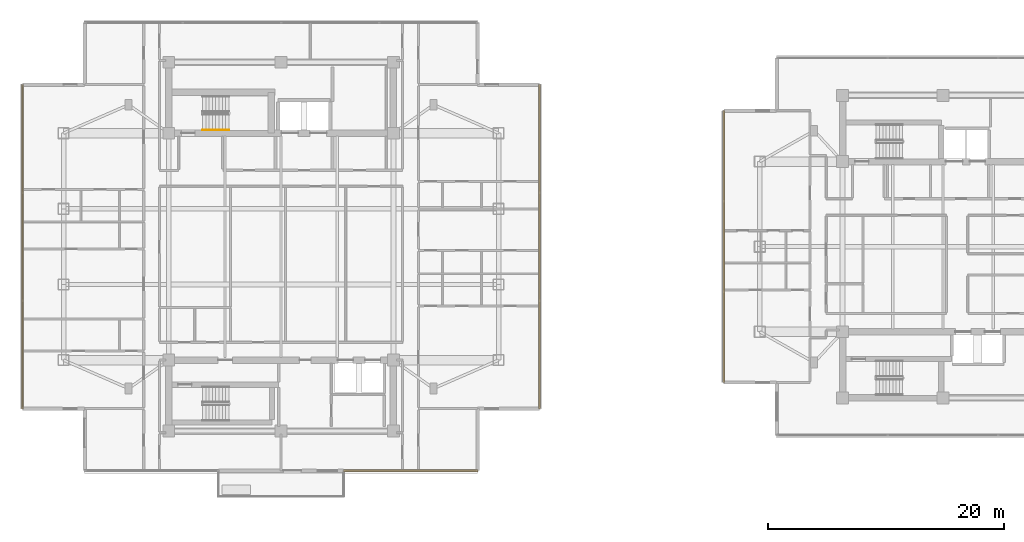
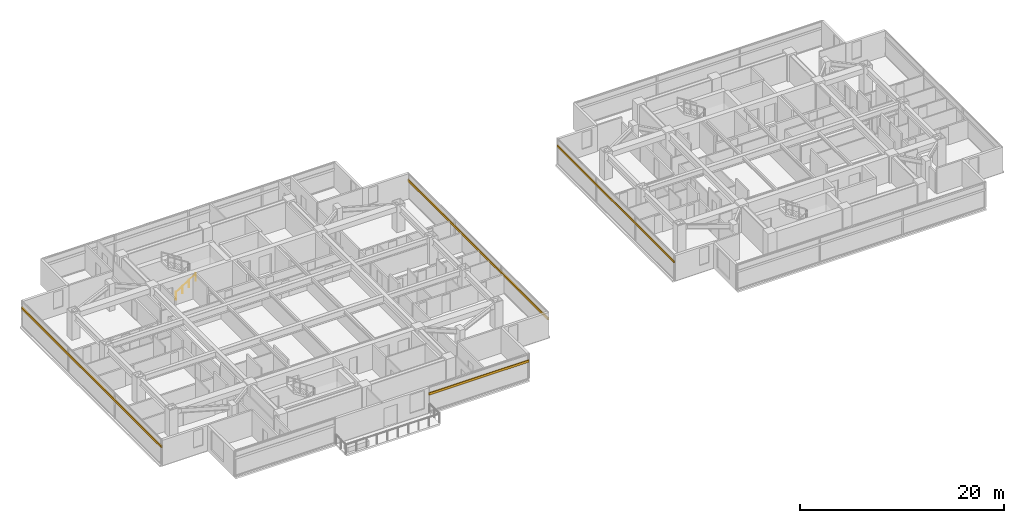
# One storey, part 21 of 25: 4 shading devices, 1 railing.
"""IFC4 building model written with IfcOpenShell, lengths in metres."""

from ifc_helpers import new_model, si_unit, direction, frame, origin, origin_2d, place, context, subcontext, project, spatial, rectangle, circle, extrude, material, material_profile, profile_set, type_object, element, save


model = new_model("IFC4")

# Units and contexts
model_context = context("Model", 3, precision=1e-05, world=origin(), true_north=direction((0.0, 1.0)))
body_context = subcontext(model_context, "Body", "Model", "MODEL_VIEW")
ifc_project = project(units=[si_unit("LENGTHUNIT", "METRE"), si_unit("AREAUNIT", "SQUARE_METRE"), si_unit("VOLUMEUNIT", "CUBIC_METRE"), si_unit("PLANEANGLEUNIT", "RADIAN"), si_unit("MASSUNIT", "GRAM", prefix="KILO")], contexts=[model_context])

# Site, building, storey
site_placement = place(None, origin())
site = spatial("IfcSite", under=ifc_project, at=site_placement, CompositionType="ELEMENT")
building_placement = place(site_placement, origin())
building = spatial("IfcBuilding", under=site, at=building_placement, Name="Mirazonda Arch Towers", CompositionType="ELEMENT")
storey_placement = place(building_placement, frame((0.0, 0.0, 180.39990234375)))
storey = spatial("IfcBuildingStorey", under=building, at=storey_placement, Name="L51", CompositionType="ELEMENT", Elevation=180.39990234375)

# Shading devices
ifc_material_1 = material(Name="Kiln-Fired Architectural Terracotta", Category="masonry")
ifc_material_profile_1 = material_profile(ifc_material_1, rectangle(XDim=0.1201171875, YDim=0.239990234375, at=origin_2d()), Name="TERRA-BAG-120x240")
ifc_profile_set_1 = profile_set([ifc_material_profile_1], Name="Kiln-Fired Architectural Terracotta")
shading_device_type_1 = type_object("IfcShadingDeviceType", Name="BAGUETTE-1", PredefinedType="USERDEFINED", material=ifc_profile_set_1)
shading_device_1_placement = place(storey_placement, frame((57.96337890625, 39.49267578125, 2.181640625), z_axis=(0.0, -1.0, 0.0), x_axis=(1.0, 0.0, 0.0)))
element("IfcShadingDevice", 1, at=shading_device_1_placement, inside=storey, type_object=shading_device_type_1, Name="L51 Glazed Terracotta Sun-Screen Baguette CW-L51-T2-W", ObjectType="BAGUETTE", PredefinedType="USERDEFINED", context=body_context, shape_type="SweptSolid", body=[
    extrude(rectangle(XDim=0.1201171875, YDim=0.239990234375, at=origin_2d()), origin(), (0.0, 0.0, 1.0), 22.9853515625),
])
ifc_material_profile_2 = material_profile(ifc_material_1, rectangle(XDim=0.139892578125, YDim=0.280029296875, at=origin_2d()), Name="TERRA-BAG-140x280")
ifc_profile_set_2 = profile_set([ifc_material_profile_2], Name="Kiln-Fired Architectural Terracotta")
shading_device_type_2 = type_object("IfcShadingDeviceType", Name="BAGUETTE-3", PredefinedType="USERDEFINED", material=ifc_profile_set_2)
shading_device_2_placement = place(storey_placement, frame((37.125, 9.0458984375, 2.181640625), z_axis=(-1.0, 0.0, 0.0), x_axis=(0.0, -1.0, 0.0)))
element("IfcShadingDevice", 2, at=shading_device_2_placement, inside=storey, type_object=shading_device_type_2, Name="L51 Glazed Terracotta Sun-Screen Baguette CW-L51-T1-SA", ObjectType="BAGUETTE", PredefinedType="USERDEFINED", context=body_context, shape_type="SweptSolid", body=[
    extrude(rectangle(XDim=0.139892578125, YDim=0.280029296875, at=origin_2d()), origin(), (0.0, 0.0, 1.0), 11.3349609375),
])
for number, where, z_axis, x_axis, name in (
    (3, (42.3701171875, 14.291015625, 2.181640625), (0.0, 1.0, 0.0), (-1.0, 0.0, 0.0), "L51 Glazed Terracotta Sun-Screen Baguette CW-L51-T1-E"),
    (4, (-1.3701171875, 41.708984375, 2.181640625), (0.0, -1.0, 0.0), (1.0, 0.0, 0.0), "L51 Glazed Terracotta Sun-Screen Baguette CW-L51-T1-W"),
):
    element("IfcShadingDevice", number, at=place(storey_placement, frame(where, z_axis=z_axis, x_axis=x_axis)), inside=storey, type_object=shading_device_type_2, Name=name, ObjectType="BAGUETTE", PredefinedType="USERDEFINED", context=body_context, shape_type="SweptSolid", body=[
        extrude(rectangle(XDim=0.139892578125, YDim=0.280029296875, at=origin_2d()), origin(), (0.0, 0.0, 1.0), 27.41796875),
    ])

# Railing
ifc_material_2 = material(Name="Architectural Brushed Steel S355", Category="steel")
railing_type = type_object("IfcRailingType", Name="HANDRAIL-915", PredefinedType="HANDRAIL", material=ifc_material_2)
railing_placement = place(storey_placement, frame((13.85009765625, 37.8701171875, 0.1806640625)))
element("IfcRailing", 5, at=railing_placement, inside=storey, type_object=railing_type, Name="L51 ST-T1N stair handrail 1", PredefinedType="HANDRAIL", context=body_context, shape_type="SweptSolid", body=[
    extrude(circle(Radius=0.02392578125, at=origin_2d()), frame((0.0, 0.0, 0.8759765625), z_axis=(0.840436612492, 0.0, 0.541909863706), x_axis=(0.0, 1.0, 0.0)), (0.0, 0.0, 1.0), 2.665283203125),
    extrude(circle(Radius=0.02099609375, at=origin_2d()), origin(), (0.0, 0.0, 1.0), 0.851806640625),
    extrude(circle(Radius=0.02099609375, at=origin_2d()), frame((0.74658203125, 0.0, 0.4814453125)), (0.0, 0.0, 1.0), 0.851806640625),
    extrude(circle(Radius=0.02099609375, at=origin_2d()), frame((1.493408203125, 0.0, 0.962890625)), (0.0, 0.0, 1.0), 0.851806640625),
    extrude(circle(Radius=0.02099609375, at=origin_2d()), frame((2.239990234375, 0.0, 1.4443359375)), (0.0, 0.0, 1.0), 0.851806640625),
])

save(model, "model.ifc")
